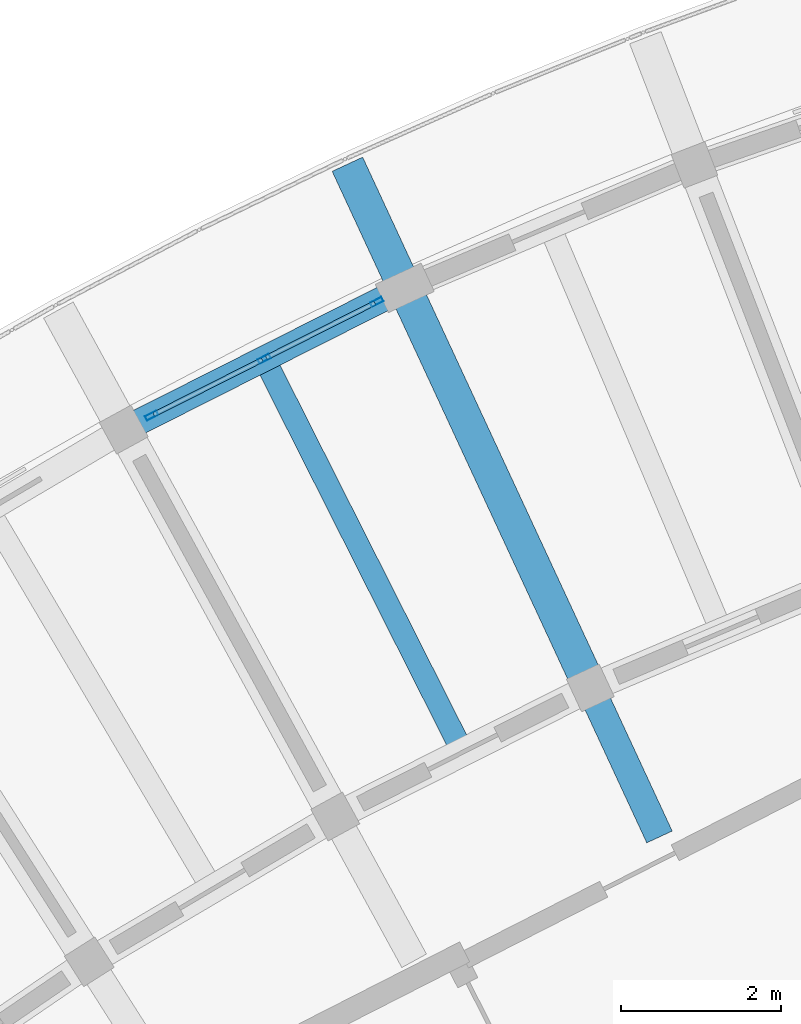
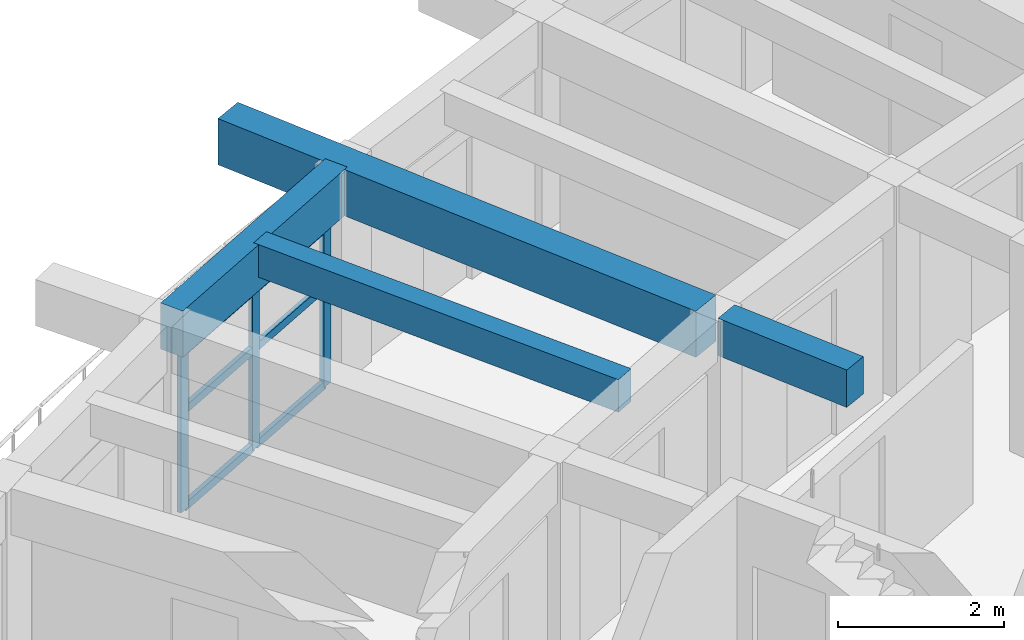
# One storey, part 7 of 32: 9 members, 4 beams, 1 element without a shape of its own.
"""IFC4 building model written with IfcOpenShell, lengths in metres."""

from ifc_helpers import new_model, si_unit, direction, frame, origin, origin_2d, place, context, subcontext, project, spatial, rectangle, hollow_rectangle, extrude, material, material_profile, profile_set, type_object, element, aggregate, save


model = new_model("IFC4")

# Units and contexts
model_context = context("Model", 3, precision=1e-05, world=origin(), true_north=direction((0.0, 1.0)))
body_context = subcontext(model_context, "Body", "Model", "MODEL_VIEW")
ifc_project = project(units=[si_unit("LENGTHUNIT", "METRE"), si_unit("AREAUNIT", "SQUARE_METRE"), si_unit("VOLUMEUNIT", "CUBIC_METRE"), si_unit("PLANEANGLEUNIT", "RADIAN"), si_unit("MASSUNIT", "GRAM", prefix="KILO")], contexts=[model_context])

# Site, building, storey
site_placement = place(None, origin())
site = spatial("IfcSite", under=ifc_project, at=site_placement, CompositionType="ELEMENT")
building_placement = place(site_placement, origin())
building = spatial("IfcBuilding", under=site, at=building_placement, Name="Tanwirah Colonnade Gardens", CompositionType="ELEMENT")
storey_placement = place(building_placement, frame((0.0, 0.0, 42.43994140625)))
storey = spatial("IfcBuildingStorey", under=building, at=storey_placement, Name="L12", CompositionType="ELEMENT", Elevation=42.43994140625)

# Beams
ifc_material_1 = material(Name="Precast concrete C40/50", Category="concrete")
ifc_material_profile_1 = material_profile(ifc_material_1, rectangle(XDim=0.35009765625, YDim=0.550048828125, at=origin_2d()), Name="PC-BM 350x550")
ifc_profile_set_1 = profile_set([ifc_material_profile_1], Name="Precast concrete C40/50")
beam_type_1 = type_object("IfcBeamType", Name="BM-PC350A", PredefinedType="BEAM", material=ifc_profile_set_1)
beam_1_placement = place(storey_placement, frame((43.115234375, 107.37060546875, 2.844970703125), z_axis=(-0.420858322681, 0.90712638162, 0.0), x_axis=(-0.90712638162, -0.420858322681, 0.0)))
element("IfcBeam", 1, at=beam_1_placement, inside=storey, type_object=beam_type_1, Name="Block A L12 Corridor Tie Beam 5", PredefinedType="BEAM", context=body_context, shape_type="SweptSolid", body=[
    extrude(rectangle(XDim=0.35009765625, YDim=0.550048828125, at=origin_2d()), origin(), (0.0, 0.0, 1.0), 1.89990234375),
])
ifc_material_2 = material(Name="Precast concrete C45/55", Category="concrete")
ifc_material_profile_2 = material_profile(ifc_material_2, rectangle(XDim=0.419921875, YDim=0.679931640625, at=origin_2d()), Name="PC-BM 420x680")
ifc_profile_set_2 = profile_set([ifc_material_profile_2], Name="Precast concrete C45/55")
beam_type_2 = type_object("IfcBeamType", Name="BM-PC420", PredefinedType="BEAM", material=ifc_profile_set_2)
beam_2_placement = place(storey_placement, frame((42.189453125, 109.3662109375, 2.780029296875), z_axis=(-0.420855908645, 0.9071275016, 0.0), x_axis=(-0.9071275016, -0.420855908645, 0.0)))
element("IfcBeam", 2, at=beam_2_placement, inside=storey, type_object=beam_type_2, Name="Block A L12 Outer Radial Precast Girder 5", PredefinedType="BEAM", context=body_context, shape_type="SweptSolid", body=[
    extrude(rectangle(XDim=0.419921875, YDim=0.679931640625, at=origin_2d()), origin(), (0.0, 0.0, 1.0), 7.050048828125),
])

# Curtain wall, members
ifc_material_3 = material(Name="Bronze-anodised aluminium and solar-control low-E glass", Category="aluminium")
curtain_wall_type = type_object("IfcCurtainWallType", Name="CW-LOB", PredefinedType="NOTDEFINED", material=ifc_material_3)
curtain_wall_placement = place(storey_placement, origin())
curtain_wall = element("IfcCurtainWall", 3, at=curtain_wall_placement, inside=storey, type_object=curtain_wall_type, Name="Curtain Wall CW-A-L12-OUT-05", PredefinedType="NOTDEFINED")
ifc_material_4 = material(Name="Bronze-anodised aluminium", Category="aluminium")
ifc_material_profile_3 = material_profile(ifc_material_4, hollow_rectangle(XDim=0.06005859375, YDim=0.159912109375, WallThickness=0.00390625, at=origin_2d()), Name="CW-MUL 60x160x4")
ifc_profile_set_3 = profile_set([ifc_material_profile_3], Name="Bronze-anodised aluminium")
member_type_1 = type_object("IfcMemberType", Name="CWM-60x160", PredefinedType="MULLION", material=ifc_profile_set_3)
member_1_placement = place(storey_placement, frame((39.589599609375, 114.043701171875, 0.0), z_axis=(0.0, 0.0, 1.0), x_axis=(0.450532096832, -0.892760230815, 0.0)))
member_1 = element("IfcMember", 4, at=member_1_placement, type_object=member_type_1, Name="CW-LOB mullion 1", PredefinedType="MULLION", context=body_context, shape_type="SweptSolid", body=[
    extrude(hollow_rectangle(XDim=0.06005859375, YDim=0.159912109375, WallThickness=0.00390625, at=origin_2d()), origin(), (0.0, 0.0, 1.0), 2.35498046875),
])
member_2_placement = place(storey_placement, frame((38.185546875, 113.3349609375, 0.0), z_axis=(0.0, 0.0, 1.0), x_axis=(0.450532096832, -0.892760230815, 0.0)))
member_2 = element("IfcMember", 5, at=member_2_placement, type_object=member_type_1, Name="CW-LOB mullion 2", PredefinedType="MULLION", context=body_context, shape_type="SweptSolid", body=[
    extrude(hollow_rectangle(XDim=0.06005859375, YDim=0.159912109375, WallThickness=0.00390625, at=origin_2d()), origin(), (0.0, 0.0, 1.0), 2.35498046875),
])
member_3_placement = place(storey_placement, frame((36.78125, 112.62646484375, 0.0), z_axis=(0.0, 0.0, 1.0), x_axis=(0.450532096832, -0.892760230815, 0.0)))
member_3 = element("IfcMember", 6, at=member_3_placement, type_object=member_type_1, Name="CW-LOB mullion 3", PredefinedType="MULLION", context=body_context, shape_type="SweptSolid", body=[
    extrude(hollow_rectangle(XDim=0.06005859375, YDim=0.159912109375, WallThickness=0.00390625, at=origin_2d()), origin(), (0.0, 0.0, 1.0), 2.35498046875),
])
ifc_material_profile_4 = material_profile(ifc_material_4, hollow_rectangle(XDim=0.06005859375, YDim=0.1201171875, WallThickness=0.00390625, at=origin_2d()), Name="CW-TRN 60x120x4")
ifc_profile_set_4 = profile_set([ifc_material_profile_4], Name="Bronze-anodised aluminium")
member_type_2 = type_object("IfcMemberType", Name="CWT-60x120", PredefinedType="USERDEFINED", material=ifc_profile_set_4)
member_4_placement = place(storey_placement, frame((39.562744140625, 114.030029296875, 0.030029296875), z_axis=(-0.892807470413, -0.450438476125, 0.0), x_axis=(0.450438476125, -0.892807470413, 0.0)))
member_4 = element("IfcMember", 7, at=member_4_placement, type_object=member_type_2, Name="CW-LOB transom 1.1", ObjectType="TRANSOM", PredefinedType="USERDEFINED", context=body_context, shape_type="SweptSolid", body=[
    extrude(hollow_rectangle(XDim=0.06005859375, YDim=0.1201171875, WallThickness=0.00390625, at=origin_2d()), origin(), (0.0, 0.0, 1.0), 1.5126953125),
])
member_5_placement = place(storey_placement, frame((39.562744140625, 114.030029296875, 1.460205078125), z_axis=(-0.892807470413, -0.450438476125, 0.0), x_axis=(0.450438476125, -0.892807470413, 0.0)))
member_5 = element("IfcMember", 8, at=member_5_placement, type_object=member_type_2, Name="CW-LOB transom 1.2", ObjectType="TRANSOM", PredefinedType="USERDEFINED", context=body_context, shape_type="SweptSolid", body=[
    extrude(hollow_rectangle(XDim=0.06005859375, YDim=0.1201171875, WallThickness=0.00390625, at=origin_2d()), origin(), (0.0, 0.0, 1.0), 1.5126953125),
])
member_6_placement = place(storey_placement, frame((39.562744140625, 114.030029296875, 2.324951171875), z_axis=(-0.892807470413, -0.450438476125, 0.0), x_axis=(0.450438476125, -0.892807470413, 0.0)))
member_6 = element("IfcMember", 9, at=member_6_placement, type_object=member_type_2, Name="CW-LOB transom 1.3", ObjectType="TRANSOM", PredefinedType="USERDEFINED", context=body_context, shape_type="SweptSolid", body=[
    extrude(hollow_rectangle(XDim=0.06005859375, YDim=0.1201171875, WallThickness=0.00390625, at=origin_2d()), origin(), (0.0, 0.0, 1.0), 1.5126953125),
])
member_7_placement = place(storey_placement, frame((38.15869140625, 113.321533203125, 0.030029296875), z_axis=(-0.892742562242, -0.450567106612, 0.0), x_axis=(0.450567106612, -0.892742562242, 0.0)))
member_7 = element("IfcMember", 10, at=member_7_placement, type_object=member_type_2, Name="CW-LOB transom 2.1", ObjectType="TRANSOM", PredefinedType="USERDEFINED", context=body_context, shape_type="SweptSolid", body=[
    extrude(hollow_rectangle(XDim=0.06005859375, YDim=0.1201171875, WallThickness=0.00390625, at=origin_2d()), origin(), (0.0, 0.0, 1.0), 1.512939453125),
])
member_8_placement = place(storey_placement, frame((38.15869140625, 113.321533203125, 1.460205078125), z_axis=(-0.892742562242, -0.450567106612, 0.0), x_axis=(0.450567106612, -0.892742562242, 0.0)))
member_8 = element("IfcMember", 11, at=member_8_placement, type_object=member_type_2, Name="CW-LOB transom 2.2", ObjectType="TRANSOM", PredefinedType="USERDEFINED", context=body_context, shape_type="SweptSolid", body=[
    extrude(hollow_rectangle(XDim=0.06005859375, YDim=0.1201171875, WallThickness=0.00390625, at=origin_2d()), origin(), (0.0, 0.0, 1.0), 1.512939453125),
])
member_9_placement = place(storey_placement, frame((38.15869140625, 113.321533203125, 2.324951171875), z_axis=(-0.892742562242, -0.450567106612, 0.0), x_axis=(0.450567106612, -0.892742562242, 0.0)))
member_9 = element("IfcMember", 12, at=member_9_placement, type_object=member_type_2, Name="CW-LOB transom 2.3", ObjectType="TRANSOM", PredefinedType="USERDEFINED", context=body_context, shape_type="SweptSolid", body=[
    extrude(hollow_rectangle(XDim=0.06005859375, YDim=0.1201171875, WallThickness=0.00390625, at=origin_2d()), origin(), (0.0, 0.0, 1.0), 1.512939453125),
])
aggregate(curtain_wall, [member_1, member_2, member_3, member_4, member_5, member_6, member_7, member_8, member_9])

# Beams
ifc_material_profile_5 = material_profile(ifc_material_1, rectangle(XDim=0.280029296875, YDim=0.47998046875, at=origin_2d()), Name="PC-JST 280x480")
ifc_profile_set_5 = profile_set([ifc_material_profile_5], Name="Precast concrete C40/50")
beam_type_3 = type_object("IfcBeamType", Name="JST-PC280", PredefinedType="JOIST", material=ifc_profile_set_5)
beam_3_placement = place(storey_placement, frame((40.5947265625, 108.560791015625, 2.880126953125), z_axis=(-0.450533699488, 0.892759422031, 0.0), x_axis=(-0.892759422031, -0.450533699488, 0.0)))
element("IfcBeam", 13, at=beam_3_placement, inside=storey, type_object=beam_type_3, Name="Block A L12 Precast Floor Joist 5", PredefinedType="JOIST", context=body_context, shape_type="SweptSolid", body=[
    extrude(rectangle(XDim=0.280029296875, YDim=0.47998046875, at=origin_2d()), origin(), (0.0, 0.0, 1.0), 5.26025390625),
])
ifc_material_profile_6 = material_profile(ifc_material_2, rectangle(XDim=0.320068359375, YDim=0.679931640625, at=origin_2d()), Name="PC-SP 320x680")
ifc_profile_set_6 = profile_set([ifc_material_profile_6], Name="Precast concrete C45/55")
beam_type_4 = type_object("IfcBeamType", Name="SP-PC320", PredefinedType="SPANDREL", material=ifc_profile_set_6)
beam_4_placement = place(storey_placement, frame((39.803955078125, 114.15185546875, 2.780029296875), z_axis=(-0.892764670911, -0.450523298368, 0.0), x_axis=(0.450523298368, -0.892764670911, 0.0)))
element("IfcBeam", 14, at=beam_4_placement, inside=storey, type_object=beam_type_4, Name="Block A L12 Circumferential Beam 5-R3", PredefinedType="SPANDREL", context=body_context, shape_type="SweptSolid", body=[
    extrude(rectangle(XDim=0.320068359375, YDim=0.679931640625, at=origin_2d()), origin(), (0.0, 0.0, 1.0), 3.6259765625),
])

save(model, "model.ifc")
